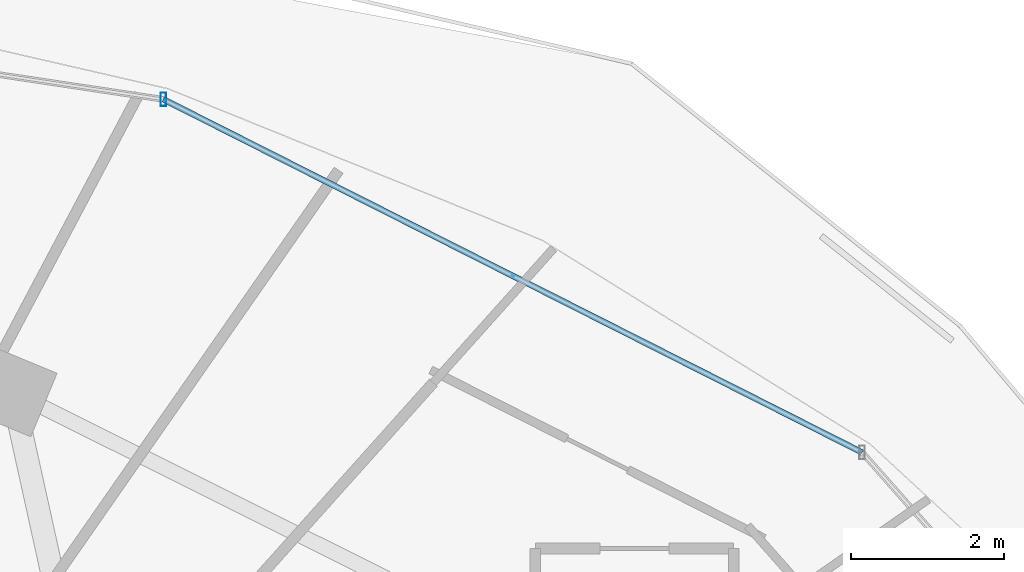
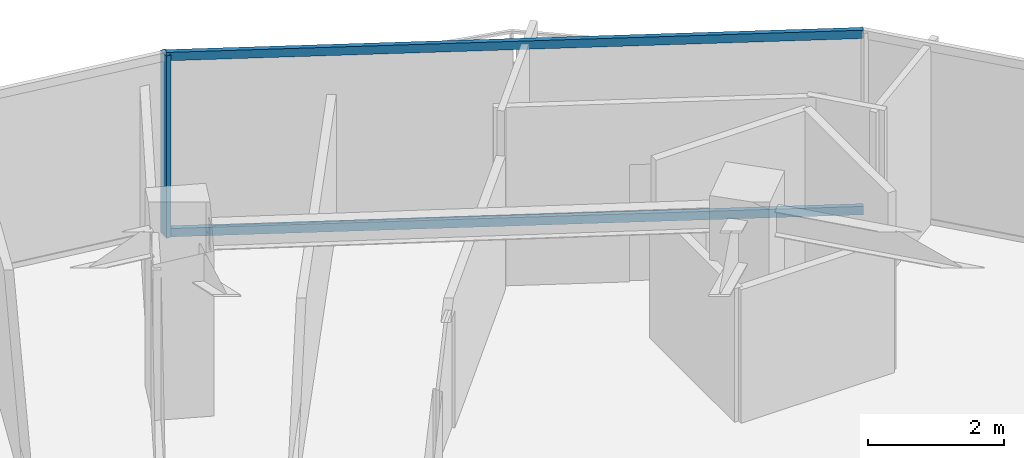
# One storey, part 21 of 33: 3 members, 1 element without a shape of its own.
"""IFC4 building model written with IfcOpenShell, lengths in metres."""

from ifc_helpers import new_model, si_unit, direction, frame, origin, origin_2d, place, context, subcontext, project, spatial, hollow_rectangle, extrude, material, material_profile, profile_set, type_object, element, aggregate, save


model = new_model("IFC4")

# Units and contexts
model_context = context("Model", 3, precision=1e-05, world=origin(), true_north=direction((0.0, 1.0)))
body_context = subcontext(model_context, "Body", "Model", "MODEL_VIEW")
ifc_project = project(units=[si_unit("LENGTHUNIT", "METRE"), si_unit("AREAUNIT", "SQUARE_METRE"), si_unit("VOLUMEUNIT", "CUBIC_METRE"), si_unit("PLANEANGLEUNIT", "RADIAN"), si_unit("MASSUNIT", "GRAM", prefix="KILO")], contexts=[model_context])

# Site, building, storey
site_placement = place(None, origin())
site = spatial("IfcSite", under=ifc_project, at=site_placement, CompositionType="ELEMENT")
building_placement = place(site_placement, origin())
building = spatial("IfcBuilding", under=site, at=building_placement, Name="Vorneva Point Tower", CompositionType="ELEMENT")
storey_placement = place(building_placement, frame((0.0, 0.0, 221.39990234375)))
storey = spatial("IfcBuildingStorey", under=building, at=storey_placement, Name="L60", CompositionType="ELEMENT", Elevation=221.39990234375)

# Curtain wall, members
ifc_material = material(Name="Pale anodised aluminium", Category="aluminium")
curtain_wall_type = type_object("IfcCurtainWallType", Name="CW-RES-SYS", PredefinedType="NOTDEFINED", material=ifc_material)
curtain_wall_placement = place(storey_placement, origin())
curtain_wall = element("IfcCurtainWall", 1, at=curtain_wall_placement, inside=storey, type_object=curtain_wall_type, Name="L60 Unitised Curtain Wall CW-L60-R01", PredefinedType="NOTDEFINED")
ifc_material_profile_1 = material_profile(ifc_material, hollow_rectangle(XDim=0.074951171875, YDim=0.179931640625, WallThickness=0.00390625, at=origin_2d()), Name="AL-MUL 180x75x4")
ifc_profile_set_1 = profile_set([ifc_material_profile_1], Name="Pale anodised aluminium")
member_type_1 = type_object("IfcMemberType", Name="CW-MUL-180", PredefinedType="MULLION", material=ifc_profile_set_1)
member_1_placement = place(storey_placement, frame((48.80322265625, 45.724853515625, -0.039794921875), z_axis=(0.0, 0.0, 1.0), x_axis=(1.0, 0.0, 0.0)))
member_1 = element("IfcMember", 2, at=member_1_placement, type_object=member_type_1, Name="CW-L60-R01 Mullion 03", PredefinedType="MULLION", context=body_context, shape_type="SweptSolid", body=[
    extrude(hollow_rectangle(XDim=0.074951171875, YDim=0.179931640625, WallThickness=0.00390625, at=origin_2d()), origin(), (0.0, 0.0, 1.0), 3.269775390625),
])
ifc_material_profile_2 = material_profile(ifc_material, hollow_rectangle(XDim=0.074951171875, YDim=0.14990234375, WallThickness=0.00390625, at=origin_2d()), Name="AL-TRN 150x75x4")
ifc_profile_set_2 = profile_set([ifc_material_profile_2], Name="Pale anodised aluminium")
member_type_2 = type_object("IfcMemberType", Name="CW-TRN-150", PredefinedType="USERDEFINED", material=ifc_profile_set_2)
member_2_placement = place(storey_placement, frame((57.961669921875, 41.0966796875, 0.02001953125), z_axis=(-0.892510927709, 0.451025768576, 0.0), x_axis=(-0.451025768576, -0.892510927709, 0.0)))
member_2 = element("IfcMember", 3, at=member_2_placement, type_object=member_type_2, Name="CW-L60-R01 Transom 02.1", ObjectType="TRANSOM", PredefinedType="USERDEFINED", context=body_context, shape_type="SweptSolid", body=[
    extrude(hollow_rectangle(XDim=0.074951171875, YDim=0.14990234375, WallThickness=0.00390625, at=origin_2d()), origin(), (0.0, 0.0, 1.0), 10.261474609375),
])
member_3_placement = place(storey_placement, frame((57.961669921875, 41.0966796875, 3.18017578125), z_axis=(-0.892510927709, 0.451025768576, 0.0), x_axis=(-0.451025768576, -0.892510927709, 0.0)))
member_3 = element("IfcMember", 4, at=member_3_placement, type_object=member_type_2, Name="CW-L60-R01 Transom 02.2", ObjectType="TRANSOM", PredefinedType="USERDEFINED", context=body_context, shape_type="SweptSolid", body=[
    extrude(hollow_rectangle(XDim=0.074951171875, YDim=0.14990234375, WallThickness=0.00390625, at=origin_2d()), origin(), (0.0, 0.0, 1.0), 10.261474609375),
])
aggregate(curtain_wall, [member_1, member_2, member_3])

save(model, "model.ifc")
